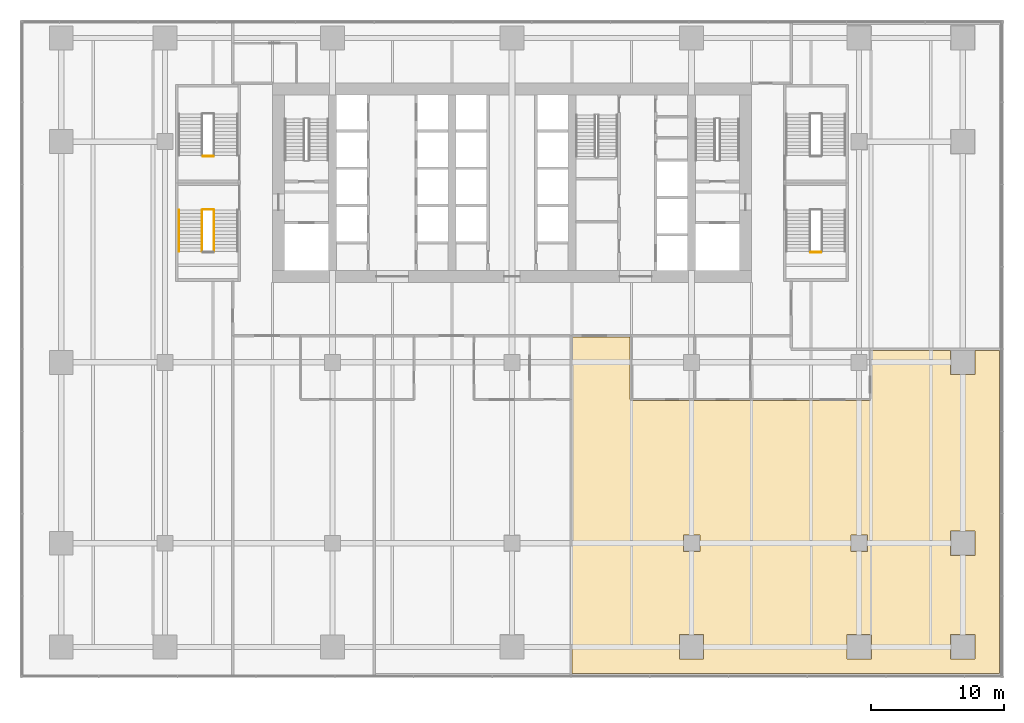
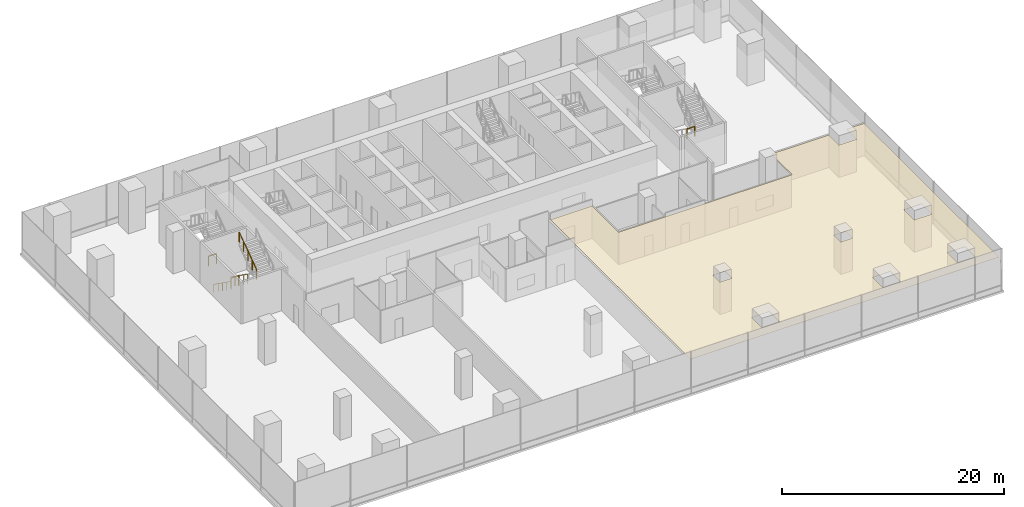
# One storey, part 25 of 29: 6 railings, 1 covering.
"""IFC4 building model written with IfcOpenShell, lengths in metres."""

from ifc_helpers import new_model, si_unit, direction, frame, origin, origin_2d, place, context, subcontext, project, spatial, polyline, rectangle, outline, extrude, material, layer, layer_set, type_object, element, save


model = new_model("IFC4")

# Units and contexts
model_context = context("Model", 3, precision=1e-05, world=origin(), true_north=direction((0.0, 1.0)))
body_context = subcontext(model_context, "Body", "Model", "MODEL_VIEW")
ifc_project = project(units=[si_unit("LENGTHUNIT", "METRE"), si_unit("AREAUNIT", "SQUARE_METRE"), si_unit("VOLUMEUNIT", "CUBIC_METRE"), si_unit("PLANEANGLEUNIT", "RADIAN"), si_unit("MASSUNIT", "GRAM", prefix="KILO")], contexts=[model_context])

# Site, building, storey
site_placement = place(None, origin())
site = spatial("IfcSite", under=ifc_project, at=site_placement, CompositionType="ELEMENT")
building_placement = place(site_placement, origin())
building = spatial("IfcBuilding", under=site, at=building_placement, Name="Rattan Terrace Tower", CompositionType="ELEMENT")
storey_placement = place(building_placement, frame((0.0, 0.0, 12.60009765625)))
storey = spatial("IfcBuildingStorey", under=building, at=storey_placement, Name="L02", CompositionType="ELEMENT", Elevation=12.60009765625)

# Railings
ifc_material_1 = material(Name="Powder-coated steel guard", Category="steel")
railing_type_1 = type_object("IfcRailingType", Name="Core stair guard", PredefinedType="GUARDRAIL", material=ifc_material_1)
railing_1_placement = place(storey_placement, frame((-23.300048828125, -2.050048828125, 0.1845703125)))
element("IfcRailing", 1, at=railing_1_placement, inside=storey, type_object=railing_type_1, Name="L02 S4 stair guard 1", PredefinedType="GUARDRAIL", context=body_context, shape_type="SweptSolid", body=[
    extrude(rectangle(XDim=0.048095703125, YDim=0.048095703125, at=origin_2d()), frame((0.0, 0.0, 1.076171875), z_axis=(0.0, -0.815355575968, 0.57896052088), x_axis=(1.0, 0.0, 0.0)), (0.0, 0.0, 1.0), 3.826416015625),
    extrude(rectangle(XDim=0.0419921875, YDim=0.0419921875, at=origin_2d()), origin(), (0.0, 0.0, 1.0), 1.052001953125),
    extrude(rectangle(XDim=0.0419921875, YDim=0.0419921875, at=origin_2d()), frame((0.0, -0.780029296875, 0.5537109375)), (0.0, 0.0, 1.0), 1.052001953125),
    extrude(rectangle(XDim=0.0419921875, YDim=0.0419921875, at=origin_2d()), frame((0.0, -1.56005859375, 1.107666015625)), (0.0, 0.0, 1.0), 1.052001953125),
    extrude(rectangle(XDim=0.0419921875, YDim=0.0419921875, at=origin_2d()), frame((0.0, -2.33984375, 1.66162109375)), (0.0, 0.0, 1.0), 1.052001953125),
    extrude(rectangle(XDim=0.0419921875, YDim=0.0419921875, at=origin_2d()), frame((0.0, -3.119873046875, 2.21533203125)), (0.0, 0.0, 1.0), 1.052001953125),
])
railing_2_placement = place(storey_placement, frame((-22.39990234375, -5.169921875, 2.58447265625)))
element("IfcRailing", 2, at=railing_2_placement, inside=storey, type_object=railing_type_1, Name="L02 S4 stair guard 3", PredefinedType="GUARDRAIL", context=body_context, shape_type="SweptSolid", body=[
    extrude(rectangle(XDim=0.048095703125, YDim=0.048095703125, at=origin_2d()), frame((0.0, 0.0, 1.076171875), z_axis=(0.0, 0.815355575968, 0.57896052088), x_axis=(-1.0, 0.0, 0.0)), (0.0, 0.0, 1.0), 3.826416015625),
    extrude(rectangle(XDim=0.0419921875, YDim=0.0419921875, at=origin_2d()), origin(), (0.0, 0.0, 1.0), 1.052001953125),
    extrude(rectangle(XDim=0.0419921875, YDim=0.0419921875, at=origin_2d()), frame((0.0, 0.780029296875, 0.5537109375)), (0.0, 0.0, 1.0), 1.052001953125),
    extrude(rectangle(XDim=0.0419921875, YDim=0.0419921875, at=origin_2d()), frame((0.0, 1.56005859375, 1.107666015625)), (0.0, 0.0, 1.0), 1.052001953125),
    extrude(rectangle(XDim=0.0419921875, YDim=0.0419921875, at=origin_2d()), frame((0.0, 2.33984375, 1.66162109375)), (0.0, 0.0, 1.0), 1.052001953125),
    extrude(rectangle(XDim=0.0419921875, YDim=0.0419921875, at=origin_2d()), frame((0.0, 3.119873046875, 2.21533203125)), (0.0, 0.0, 1.0), 1.052001953125),
])
railing_3_placement = place(storey_placement, frame((-23.25, -2.0, 0.0)))
element("IfcRailing", 3, at=railing_3_placement, inside=storey, type_object=railing_type_1, Name="L02 S4 stair guard 4", PredefinedType="GUARDRAIL", context=body_context, shape_type="SweptSolid", body=[
    extrude(rectangle(XDim=0.048095703125, YDim=0.048095703125, at=origin_2d()), frame((0.0, 0.0, 1.076171875), z_axis=(1.0, 0.0, 0.0), x_axis=(0.0, 1.0, 0.0)), (0.0, 0.0, 1.0), 0.800048828125),
    extrude(rectangle(XDim=0.0419921875, YDim=0.0419921875, at=origin_2d()), origin(), (0.0, 0.0, 1.0), 1.052001953125),
    extrude(rectangle(XDim=0.0419921875, YDim=0.0419921875, at=origin_2d()), frame((0.800048828125, 0.0, 0.0)), (0.0, 0.0, 1.0), 1.052001953125),
])
railing_4_placement = place(storey_placement, frame((-22.449951171875, 2.0, 0.0)))
element("IfcRailing", 4, at=railing_4_placement, inside=storey, type_object=railing_type_1, Name="L02 S5 stair guard 4", PredefinedType="GUARDRAIL", context=body_context, shape_type="SweptSolid", body=[
    extrude(rectangle(XDim=0.048095703125, YDim=0.048095703125, at=origin_2d()), frame((0.0, 0.0, 1.076171875), z_axis=(-1.0, 0.0, 0.0), x_axis=(0.0, -1.0, 0.0)), (0.0, 0.0, 1.0), 0.800048828125),
    extrude(rectangle(XDim=0.0419921875, YDim=0.0419921875, at=origin_2d()), origin(), (0.0, 0.0, 1.0), 1.052001953125),
    extrude(rectangle(XDim=0.0419921875, YDim=0.0419921875, at=origin_2d()), frame((-0.800048828125, 0.0, 0.0)), (0.0, 0.0, 1.0), 1.052001953125),
])
railing_5_placement = place(storey_placement, frame((22.449951171875, -5.219970703125, 2.39990234375)))
element("IfcRailing", 5, at=railing_5_placement, inside=storey, type_object=railing_type_1, Name="L02 S6 stair guard 2", PredefinedType="GUARDRAIL", context=body_context, shape_type="SweptSolid", body=[
    extrude(rectangle(XDim=0.048095703125, YDim=0.048095703125, at=origin_2d()), frame((0.0, 0.0, 1.076171875), z_axis=(1.0, 0.0, 0.0), x_axis=(0.0, 1.0, 0.0)), (0.0, 0.0, 1.0), 0.800048828125),
    extrude(rectangle(XDim=0.0419921875, YDim=0.0419921875, at=origin_2d()), origin(), (0.0, 0.0, 1.0), 1.052001953125),
    extrude(rectangle(XDim=0.0419921875, YDim=0.0419921875, at=origin_2d()), frame((0.800048828125, 0.0, 0.0)), (0.0, 0.0, 1.0), 1.052001953125),
])
ifc_material_2 = material(Name="Powder-coated steel handrail", Category="steel")
railing_type_2 = type_object("IfcRailingType", Name="Core stair handrail", PredefinedType="HANDRAIL", material=ifc_material_2)
railing_6_placement = place(storey_placement, frame((-25.050048828125, -2.050048828125, 0.1845703125)))
element("IfcRailing", 6, at=railing_6_placement, inside=storey, type_object=railing_type_2, Name="L02 S4 stair handrail 1", PredefinedType="HANDRAIL", context=body_context, shape_type="SweptSolid", body=[
    extrude(rectangle(XDim=0.048095703125, YDim=0.048095703125, at=origin_2d()), frame((0.0, 0.0, 0.8759765625), z_axis=(0.0, -0.815355575968, 0.57896052088), x_axis=(1.0, 0.0, 0.0)), (0.0, 0.0, 1.0), 3.826416015625),
    extrude(rectangle(XDim=0.0419921875, YDim=0.0419921875, at=origin_2d()), origin(), (0.0, 0.0, 1.0), 0.851806640625),
    extrude(rectangle(XDim=0.0419921875, YDim=0.0419921875, at=origin_2d()), frame((0.0, -0.780029296875, 0.5537109375)), (0.0, 0.0, 1.0), 0.851806640625),
    extrude(rectangle(XDim=0.0419921875, YDim=0.0419921875, at=origin_2d()), frame((0.0, -1.56005859375, 1.107666015625)), (0.0, 0.0, 1.0), 0.851806640625),
    extrude(rectangle(XDim=0.0419921875, YDim=0.0419921875, at=origin_2d()), frame((0.0, -2.33984375, 1.66162109375)), (0.0, 0.0, 1.0), 0.851806640625),
    extrude(rectangle(XDim=0.0419921875, YDim=0.0419921875, at=origin_2d()), frame((0.0, -3.119873046875, 2.21533203125)), (0.0, 0.0, 1.0), 0.851806640625),
])

# Covering
ifc_material_3 = material(Name="Gypsum board, painted")
ifc_layer = layer(ifc_material_3, 0.02490234375)
ifc_layer_set = layer_set([ifc_layer], Name="Suspended Ceiling Gypsum 25")
covering_type = type_object("IfcCoveringType", Name="Suspended Ceiling Gypsum 25", PredefinedType="CEILING", material=ifc_layer_set)
covering_placement = place(storey_placement, frame((0.0, 0.0, 3.574951171875)))
element("IfcCovering", 7, at=covering_placement, inside=storey, type_object=covering_type, Name="Ceiling L02-116", PredefinedType="CEILING", context=body_context, shape_type="SweptSolid", body=[
    extrude(outline(polyline([(4.530029296875, -36.909912109375), (36.659912109375, -36.909912109375), (36.659912109375, -12.590087890625), (34.818115234375, -12.590087890625), (34.819091796875, -12.592041015625), (34.819091796875, -12.593994140625), (34.820068359375, -12.595947265625), (34.820068359375, -12.597900390625), (34.820068359375, -12.60009765625), (34.820068359375, -14.39990234375), (34.820068359375, -14.402099609375), (34.820068359375, -14.404052734375), (34.819091796875, -14.406005859375), (34.819091796875, -14.407958984375), (34.818115234375, -14.409912109375), (34.81689453125, -14.410888671875), (34.81591796875, -14.4130859375), (34.81396484375, -14.4140625), (34.81298828125, -14.416015625), (34.81103515625, -14.4169921875), (34.81005859375, -14.41796875), (34.80810546875, -14.4189453125), (34.805908203125, -14.4189453125), (34.803955078125, -14.419921875), (34.802001953125, -14.419921875), (34.800048828125, -14.419921875), (33.0, -14.419921875), (32.998046875, -14.419921875), (32.99609375, -14.419921875), (32.993896484375, -14.4189453125), (32.991943359375, -14.4189453125), (32.989990234375, -14.41796875), (32.989013671875, -14.4169921875), (32.987060546875, -14.416015625), (32.986083984375, -14.4140625), (32.98388671875, -14.4130859375), (32.98291015625, -14.410888671875), (32.98193359375, -14.409912109375), (32.98095703125, -14.407958984375), (32.98095703125, -14.406005859375), (32.97998046875, -14.404052734375), (32.97998046875, -14.402099609375), (32.97998046875, -14.39990234375), (32.97998046875, -12.60009765625), (32.97998046875, -12.597900390625), (32.97998046875, -12.595947265625), (32.98095703125, -12.593994140625), (32.98095703125, -12.592041015625), (32.98193359375, -12.590087890625), (26.989990234375, -12.590087890625), (26.989990234375, -16.300048828125), (26.93994140625, -16.300048828125), (26.93994140625, -16.35009765625), (13.760009765625, -16.35009765625), (13.760009765625, -16.360107421875), (8.93994140625, -16.360107421875), (8.93994140625, -16.300048828125), (8.8798828125, -16.300048828125), (8.8798828125, -11.574951171875), (4.530029296875, -11.574951171875), (4.530029296875, -36.909912109375)]), holes=[polyline([(32.986083984375, -33.986083984375), (32.98388671875, -33.987060546875), (32.98291015625, -33.989013671875), (32.98193359375, -33.989990234375), (32.98095703125, -33.991943359375), (32.98095703125, -33.993896484375), (32.97998046875, -33.99609375), (32.97998046875, -33.998046875), (32.97998046875, -34.0), (32.97998046875, -35.800048828125), (32.97998046875, -35.802001953125), (32.97998046875, -35.803955078125), (32.98095703125, -35.805908203125), (32.98095703125, -35.80810546875), (32.98193359375, -35.81005859375), (32.98291015625, -35.81103515625), (32.98388671875, -35.81298828125), (32.986083984375, -35.81396484375), (32.987060546875, -35.81591796875), (32.989013671875, -35.81689453125), (32.989990234375, -35.818115234375), (32.991943359375, -35.819091796875), (32.993896484375, -35.819091796875), (32.99609375, -35.820068359375), (32.998046875, -35.820068359375), (33.0, -35.820068359375), (34.800048828125, -35.820068359375), (34.802001953125, -35.820068359375), (34.803955078125, -35.820068359375), (34.805908203125, -35.819091796875), (34.80810546875, -35.819091796875), (34.81005859375, -35.818115234375), (34.81103515625, -35.81689453125), (34.81298828125, -35.81591796875), (34.81396484375, -35.81396484375), (34.81591796875, -35.81298828125), (34.81689453125, -35.81103515625), (34.818115234375, -35.81005859375), (34.819091796875, -35.80810546875), (34.819091796875, -35.805908203125), (34.820068359375, -35.803955078125), (34.820068359375, -35.802001953125), (34.820068359375, -35.800048828125), (34.820068359375, -34.0), (34.820068359375, -33.998046875), (34.820068359375, -33.99609375), (34.819091796875, -33.993896484375), (34.819091796875, -33.991943359375), (34.818115234375, -33.989990234375), (34.81689453125, -33.989013671875), (34.81591796875, -33.987060546875), (34.81396484375, -33.986083984375), (34.81298828125, -33.98388671875), (34.81103515625, -33.98291015625), (34.81005859375, -33.98193359375), (34.80810546875, -33.98095703125), (34.805908203125, -33.98095703125), (34.803955078125, -33.97998046875), (34.802001953125, -33.97998046875), (34.800048828125, -33.97998046875), (33.0, -33.97998046875), (32.998046875, -33.97998046875), (32.99609375, -33.97998046875), (32.993896484375, -33.98095703125), (32.991943359375, -33.98095703125), (32.989990234375, -33.98193359375), (32.989013671875, -33.98291015625), (32.987060546875, -33.98388671875), (32.986083984375, -33.986083984375)]), polyline([(32.98193359375, -28.010009765625), (32.98291015625, -28.010986328125), (32.98388671875, -28.012939453125), (32.986083984375, -28.013916015625), (32.987060546875, -28.01611328125), (32.989013671875, -28.01708984375), (32.989990234375, -28.01806640625), (32.991943359375, -28.01904296875), (32.993896484375, -28.01904296875), (32.99609375, -28.02001953125), (32.998046875, -28.02001953125), (33.0, -28.02001953125), (34.800048828125, -28.02001953125), (34.802001953125, -28.02001953125), (34.803955078125, -28.02001953125), (34.805908203125, -28.01904296875), (34.80810546875, -28.01904296875), (34.81005859375, -28.01806640625), (34.81103515625, -28.01708984375), (34.81298828125, -28.01611328125), (34.81396484375, -28.013916015625), (34.81591796875, -28.012939453125), (34.81689453125, -28.010986328125), (34.818115234375, -28.010009765625), (34.819091796875, -28.008056640625), (34.819091796875, -28.006103515625), (34.820068359375, -28.00390625), (34.820068359375, -28.001953125), (34.820068359375, -28.0), (34.820068359375, -26.199951171875), (34.820068359375, -26.197998046875), (34.820068359375, -26.196044921875), (34.819091796875, -26.194091796875), (34.819091796875, -26.19189453125), (34.818115234375, -26.18994140625), (34.81689453125, -26.18896484375), (34.81591796875, -26.18701171875), (34.81396484375, -26.18603515625), (34.81298828125, -26.18408203125), (34.81103515625, -26.18310546875), (34.81005859375, -26.181884765625), (34.80810546875, -26.180908203125), (34.805908203125, -26.180908203125), (34.803955078125, -26.179931640625), (34.802001953125, -26.179931640625), (34.800048828125, -26.179931640625), (33.0, -26.179931640625), (32.998046875, -26.179931640625), (32.99609375, -26.179931640625), (32.993896484375, -26.180908203125), (32.991943359375, -26.180908203125), (32.989990234375, -26.181884765625), (32.989013671875, -26.18310546875), (32.987060546875, -26.18408203125), (32.986083984375, -26.18603515625), (32.98388671875, -26.18701171875), (32.98291015625, -26.18896484375), (32.98193359375, -26.18994140625), (32.98095703125, -26.19189453125), (32.98095703125, -26.194091796875), (32.97998046875, -26.196044921875), (32.97998046875, -26.197998046875), (32.97998046875, -26.199951171875), (32.97998046875, -28.0), (32.97998046875, -28.001953125), (32.97998046875, -28.00390625), (32.98095703125, -28.006103515625), (32.98095703125, -28.008056640625), (32.98193359375, -28.010009765625)]), polyline([(25.18603515625, -33.986083984375), (25.18408203125, -33.987060546875), (25.18310546875, -33.989013671875), (25.181884765625, -33.989990234375), (25.180908203125, -33.991943359375), (25.180908203125, -33.993896484375), (25.179931640625, -33.99609375), (25.179931640625, -33.998046875), (25.179931640625, -34.0), (25.179931640625, -35.800048828125), (25.179931640625, -35.802001953125), (25.179931640625, -35.803955078125), (25.180908203125, -35.805908203125), (25.180908203125, -35.80810546875), (25.181884765625, -35.81005859375), (25.18310546875, -35.81103515625), (25.18408203125, -35.81298828125), (25.18603515625, -35.81396484375), (25.18701171875, -35.81591796875), (25.18896484375, -35.81689453125), (25.18994140625, -35.818115234375), (25.19189453125, -35.819091796875), (25.194091796875, -35.819091796875), (25.196044921875, -35.820068359375), (25.197998046875, -35.820068359375), (25.199951171875, -35.820068359375), (27.0, -35.820068359375), (27.001953125, -35.820068359375), (27.00390625, -35.820068359375), (27.006103515625, -35.819091796875), (27.008056640625, -35.819091796875), (27.010009765625, -35.818115234375), (27.010986328125, -35.81689453125), (27.012939453125, -35.81591796875), (27.013916015625, -35.81396484375), (27.01611328125, -35.81298828125), (27.01708984375, -35.81103515625), (27.01806640625, -35.81005859375), (27.01904296875, -35.80810546875), (27.01904296875, -35.805908203125), (27.02001953125, -35.803955078125), (27.02001953125, -35.802001953125), (27.02001953125, -35.800048828125), (27.02001953125, -34.0), (27.02001953125, -33.998046875), (27.02001953125, -33.99609375), (27.01904296875, -33.993896484375), (27.01904296875, -33.991943359375), (27.01806640625, -33.989990234375), (27.01708984375, -33.989013671875), (27.01611328125, -33.987060546875), (27.013916015625, -33.986083984375), (27.012939453125, -33.98388671875), (27.010986328125, -33.98291015625), (27.010009765625, -33.98193359375), (27.008056640625, -33.98095703125), (27.006103515625, -33.98095703125), (27.00390625, -33.97998046875), (27.001953125, -33.97998046875), (27.0, -33.97998046875), (25.199951171875, -33.97998046875), (25.197998046875, -33.97998046875), (25.196044921875, -33.97998046875), (25.194091796875, -33.98095703125), (25.19189453125, -33.98095703125), (25.18994140625, -33.98193359375), (25.18896484375, -33.98291015625), (25.18701171875, -33.98388671875), (25.18603515625, -33.986083984375)]), polyline([(25.493896484375, -26.48095703125), (25.491943359375, -26.48095703125), (25.489990234375, -26.48193359375), (25.489013671875, -26.48291015625), (25.487060546875, -26.48388671875), (25.486083984375, -26.486083984375), (25.48388671875, -26.487060546875), (25.48291015625, -26.489013671875), (25.48193359375, -26.489990234375), (25.48095703125, -26.491943359375), (25.48095703125, -26.493896484375), (25.47998046875, -26.49609375), (25.47998046875, -26.498046875), (25.47998046875, -26.5), (25.47998046875, -27.699951171875), (25.47998046875, -27.701904296875), (25.47998046875, -27.7041015625), (25.48095703125, -27.7060546875), (25.48095703125, -27.7080078125), (25.48193359375, -27.7099609375), (25.48291015625, -27.7109375), (25.48388671875, -27.712890625), (25.486083984375, -27.714111328125), (25.487060546875, -27.716064453125), (25.489013671875, -27.717041015625), (25.489990234375, -27.718017578125), (25.491943359375, -27.718994140625), (25.493896484375, -27.718994140625), (25.49609375, -27.719970703125), (25.498046875, -27.719970703125), (25.5, -27.719970703125), (26.699951171875, -27.719970703125), (26.701904296875, -27.719970703125), (26.7041015625, -27.719970703125), (26.7060546875, -27.718994140625), (26.7080078125, -27.718994140625), (26.7099609375, -27.718017578125), (26.7109375, -27.717041015625), (26.712890625, -27.716064453125), (26.714111328125, -27.714111328125), (26.716064453125, -27.712890625), (26.717041015625, -27.7109375), (26.718017578125, -27.7099609375), (26.718994140625, -27.7080078125), (26.718994140625, -27.7060546875), (26.719970703125, -27.7041015625), (26.719970703125, -27.701904296875), (26.719970703125, -27.699951171875), (26.719970703125, -26.5), (26.719970703125, -26.498046875), (26.719970703125, -26.49609375), (26.718994140625, -26.493896484375), (26.718994140625, -26.491943359375), (26.718017578125, -26.489990234375), (26.717041015625, -26.489013671875), (26.716064453125, -26.487060546875), (26.714111328125, -26.486083984375), (26.712890625, -26.48388671875), (26.7109375, -26.48291015625), (26.7099609375, -26.48193359375), (26.7080078125, -26.48095703125), (26.7060546875, -26.48095703125), (26.7041015625, -26.47998046875), (26.701904296875, -26.47998046875), (26.699951171875, -26.47998046875), (25.5, -26.47998046875), (25.498046875, -26.47998046875), (25.49609375, -26.47998046875), (25.493896484375, -26.48095703125)]), polyline([(12.5869140625, -33.98388671875), (12.5859375, -33.986083984375), (12.583984375, -33.987060546875), (12.5830078125, -33.989013671875), (12.58203125, -33.989990234375), (12.5810546875, -33.991943359375), (12.5810546875, -33.993896484375), (12.580078125, -33.99609375), (12.580078125, -33.998046875), (12.580078125, -34.0), (12.580078125, -35.800048828125), (12.580078125, -35.802001953125), (12.580078125, -35.803955078125), (12.5810546875, -35.805908203125), (12.5810546875, -35.80810546875), (12.58203125, -35.81005859375), (12.5830078125, -35.81103515625), (12.583984375, -35.81298828125), (12.5859375, -35.81396484375), (12.5869140625, -35.81591796875), (12.589111328125, -35.81689453125), (12.590087890625, -35.818115234375), (12.592041015625, -35.819091796875), (12.593994140625, -35.819091796875), (12.595947265625, -35.820068359375), (12.597900390625, -35.820068359375), (12.60009765625, -35.820068359375), (14.39990234375, -35.820068359375), (14.402099609375, -35.820068359375), (14.404052734375, -35.820068359375), (14.406005859375, -35.819091796875), (14.407958984375, -35.819091796875), (14.409912109375, -35.818115234375), (14.410888671875, -35.81689453125), (14.4130859375, -35.81591796875), (14.4140625, -35.81396484375), (14.416015625, -35.81298828125), (14.4169921875, -35.81103515625), (14.41796875, -35.81005859375), (14.4189453125, -35.80810546875), (14.4189453125, -35.805908203125), (14.419921875, -35.803955078125), (14.419921875, -35.802001953125), (14.419921875, -35.800048828125), (14.419921875, -34.0), (14.419921875, -33.998046875), (14.419921875, -33.99609375), (14.4189453125, -33.993896484375), (14.4189453125, -33.991943359375), (14.41796875, -33.989990234375), (14.4169921875, -33.989013671875), (14.416015625, -33.987060546875), (14.4140625, -33.986083984375), (14.4130859375, -33.98388671875), (14.410888671875, -33.98291015625), (14.409912109375, -33.98193359375), (14.407958984375, -33.98095703125), (14.406005859375, -33.98095703125), (14.404052734375, -33.97998046875), (14.402099609375, -33.97998046875), (14.39990234375, -33.97998046875), (12.60009765625, -33.97998046875), (12.597900390625, -33.97998046875), (12.595947265625, -33.97998046875), (12.593994140625, -33.98095703125), (12.592041015625, -33.98095703125), (12.590087890625, -33.98193359375), (12.589111328125, -33.98291015625), (12.5869140625, -33.98388671875)]), polyline([(12.89404296875, -26.48095703125), (12.89208984375, -26.48095703125), (12.889892578125, -26.48193359375), (12.888916015625, -26.48291015625), (12.886962890625, -26.48388671875), (12.885986328125, -26.486083984375), (12.884033203125, -26.487060546875), (12.883056640625, -26.489013671875), (12.882080078125, -26.489990234375), (12.881103515625, -26.491943359375), (12.881103515625, -26.493896484375), (12.8798828125, -26.49609375), (12.8798828125, -26.498046875), (12.8798828125, -26.5), (12.8798828125, -27.699951171875), (12.8798828125, -27.701904296875), (12.8798828125, -27.7041015625), (12.881103515625, -27.7060546875), (12.881103515625, -27.7080078125), (12.882080078125, -27.7099609375), (12.883056640625, -27.7109375), (12.884033203125, -27.712890625), (12.885986328125, -27.714111328125), (12.886962890625, -27.716064453125), (12.888916015625, -27.717041015625), (12.889892578125, -27.718017578125), (12.89208984375, -27.718994140625), (12.89404296875, -27.718994140625), (12.89599609375, -27.719970703125), (12.89794921875, -27.719970703125), (12.89990234375, -27.719970703125), (14.10009765625, -27.719970703125), (14.10205078125, -27.719970703125), (14.10400390625, -27.719970703125), (14.10595703125, -27.718994140625), (14.10791015625, -27.718994140625), (14.110107421875, -27.718017578125), (14.111083984375, -27.717041015625), (14.113037109375, -27.716064453125), (14.114013671875, -27.714111328125), (14.115966796875, -27.712890625), (14.116943359375, -27.7109375), (14.117919921875, -27.7099609375), (14.118896484375, -27.7080078125), (14.118896484375, -27.7060546875), (14.1201171875, -27.7041015625), (14.1201171875, -27.701904296875), (14.1201171875, -27.699951171875), (14.1201171875, -26.5), (14.1201171875, -26.498046875), (14.1201171875, -26.49609375), (14.118896484375, -26.493896484375), (14.118896484375, -26.491943359375), (14.117919921875, -26.489990234375), (14.116943359375, -26.489013671875), (14.115966796875, -26.487060546875), (14.114013671875, -26.486083984375), (14.113037109375, -26.48388671875), (14.111083984375, -26.48291015625), (14.110107421875, -26.48193359375), (14.10791015625, -26.48095703125), (14.10595703125, -26.48095703125), (14.10400390625, -26.47998046875), (14.10205078125, -26.47998046875), (14.10009765625, -26.47998046875), (12.89990234375, -26.47998046875), (12.89794921875, -26.47998046875), (12.89599609375, -26.47998046875), (12.89404296875, -26.48095703125)])]), origin(), (0.0, 0.0, 1.0), 0.02490234375),
])

save(model, "model.ifc")
